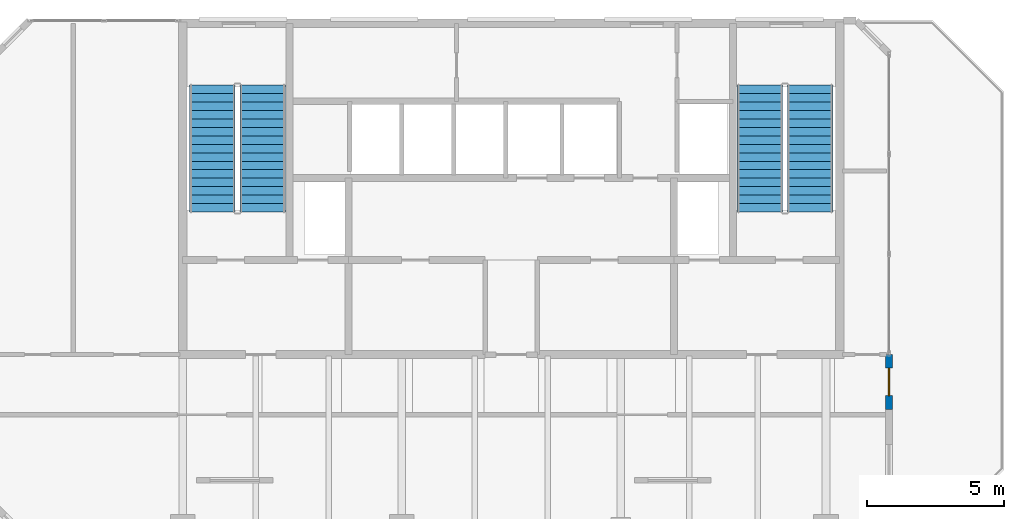
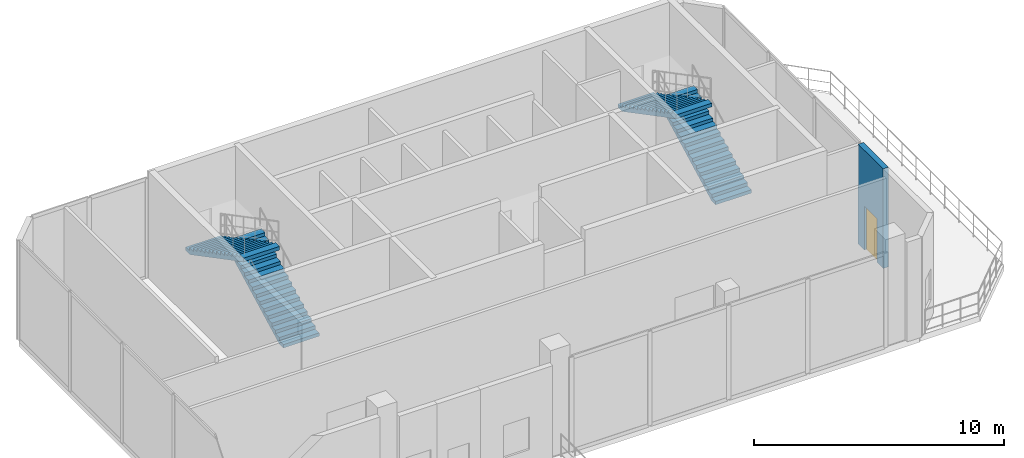
# One storey, part 9 of 11: 4 stair flights, 1 door, 1 wall, 1 opening, 2 elements without a shape of their own.
"""IFC4 building model written with IfcOpenShell, lengths in metres."""

from ifc_helpers import new_model, si_unit, direction, frame, frame_2d, origin, place, context, subcontext, project, spatial, polyline, rectangle, outline, extrude, material, layer, layer_set, type_object, element, fill, aggregate, save


model = new_model("IFC4")

# Units and contexts
model_context = context("Model", 3, precision=1e-05, world=origin(), true_north=direction((0.0, 1.0)))
body_context = subcontext(model_context, "Body", "Model", "MODEL_VIEW")
ifc_project = project(units=[si_unit("LENGTHUNIT", "METRE"), si_unit("AREAUNIT", "SQUARE_METRE"), si_unit("VOLUMEUNIT", "CUBIC_METRE"), si_unit("PLANEANGLEUNIT", "RADIAN"), si_unit("MASSUNIT", "GRAM", prefix="KILO")], contexts=[model_context])

# Site, building, storey
site_placement = place(None, origin())
site = spatial("IfcSite", under=ifc_project, at=site_placement, CompositionType="ELEMENT")
building_placement = place(site_placement, origin())
building = spatial("IfcBuilding", under=site, at=building_placement, Name="Catumbela Crestline Tower", CompositionType="ELEMENT")
storey_placement = place(building_placement, frame((0.0, 0.0, 290.6)))
storey = spatial("IfcBuildingStorey", under=building, at=storey_placement, Name="L75", CompositionType="ELEMENT", Elevation=290.6)

# Wall, opening, door
ifc_material_1 = material(Name="Angolan grey-ochre granite", Category="masonry")
ifc_layer = layer(ifc_material_1, 0.25, Name="Angolan grey-ochre granite")
ifc_layer_set = layer_set([ifc_layer], Name="Angolan grey-ochre granite")
wall_type = type_object("IfcWallType", Name="WE-250", PredefinedType="STANDARD", material=ifc_layer_set)
wall_placement = place(storey_placement, frame((41.8, 28.8, 0.0), z_axis=(0.0, 0.0, 1.0), x_axis=(0.0, 1.0, 0.0)))
wall = element("IfcWall", 1, at=wall_placement, inside=storey, type_object=wall_type, Name="L75 Exterior Threshold Portal Wall DR-L75-STEP-E2", PredefinedType="STANDARD", context=body_context, shape_type="SweptSolid", body=[
    extrude(rectangle(XDim=2.0, YDim=0.25, at=frame_2d((1.0, 0.0))), origin(), (0.0, 0.0, 1.0), 4.87),
])
opening_placement = place(wall_placement, frame((0.5, 0.0, 0.0)))
opening = element("IfcOpeningElement", 2, at=opening_placement, cuts=wall, Name="Opening DT-L75E", PredefinedType="OPENING", context=body_context, shape_type="SweptSolid", body=[
    extrude(rectangle(XDim=1.0, YDim=2.15, at=frame_2d((0.5, 1.075))), frame((0.0, 0.135, 0.0), z_axis=(0.0, -1.0, 0.0), x_axis=(1.0, 0.0, 0.0)), (0.0, 0.0, 1.0), 0.27),
])
ifc_material_2 = material(Name="Aluminium alloy AW-6060-T66", Category="aluminium")
door_type = type_object("IfcDoorType", Name="DB-1000", OperationType="NOTDEFINED", PredefinedType="DOOR", material=ifc_material_2)
door_placement = place(opening_placement, origin())
door = element("IfcDoor", 3, at=door_placement, inside=storey, type_object=door_type, Name="L75 East Stepped Terrace Door", OperationType="SINGLE_SWING_RIGHT", OverallHeight=2.15, OverallWidth=1.0, PredefinedType="DOOR", context=body_context, shape_type="SweptSolid", body=[
    extrude(rectangle(XDim=1.0, YDim=2.15, at=frame_2d((0.5, 1.075))), frame((0.0, 0.025, 0.0), z_axis=(0.0, -1.0, 0.0), x_axis=(1.0, 0.0, 0.0)), (0.0, 0.0, 1.0), 0.05),
])
fill(opening, door)

# Stair, stair flights
ifc_material_3 = material(Name="Concrete C45/55", Category="concrete")
stair_type = type_object("IfcStairType", Name="ST-DLG", PredefinedType="HALF_TURN_STAIR", material=ifc_material_3)
stair_1_placement = place(storey_placement, origin())
stair_1 = element("IfcStair", 4, at=stair_1_placement, inside=storey, type_object=stair_type, Name="L75 West Core Pressurised Exit Stair ST-01", PredefinedType="HALF_TURN_STAIR")
stair_flight_type = type_object("IfcStairFlightType", Name="SF-1625", PredefinedType="STRAIGHT", material=ifc_material_3)
stair_flight_1_placement = place(storey_placement, frame((18.92, 36.0, 0.0), z_axis=(0.0, 0.0, 1.0), x_axis=(0.0, 1.0, 0.0)))
stair_flight_1 = element("IfcStairFlight", 5, at=stair_flight_1_placement, type_object=stair_flight_type, Name="ST-01 flight 1", NumberOfRisers=16, NumberOfTreads=15, PredefinedType="STRAIGHT", RiserHeight=0.1625, TreadLength=0.31, context=body_context, shape_type="SweptSolid", body=[
    extrude(outline(polyline([(0.0, 0.0), (0.0, 0.1625), (0.31, 0.1625), (0.31, 0.325), (0.62, 0.325), (0.62, 0.4875), (0.93, 0.4875), (0.93, 0.65), (1.24, 0.65), (1.24, 0.8125), (1.55, 0.8125), (1.55, 0.975), (1.86, 0.975), (1.86, 1.1375), (2.17, 1.1375), (2.17, 1.3), (2.48, 1.3), (2.48, 1.4625), (2.79, 1.4625), (2.79, 1.625), (3.1, 1.625), (3.1, 1.7875), (3.41, 1.7875), (3.41, 1.95), (3.72, 1.95), (3.72, 2.1125), (4.03, 2.1125), (4.03, 2.275), (4.34, 2.275), (4.34, 2.4375), (4.65, 2.4375), (4.65, 2.6), (4.65, 2.2569), (0.3446, 0.0), (0.0, 0.0)])), frame((0.0, 0.83, 0.0), z_axis=(0.0, -1.0, 0.0), x_axis=(1.0, 0.0, 0.0)), (0.0, 0.0, 1.0), 1.66),
])
stair_flight_2_placement = place(storey_placement, frame((17.08, 40.65, 2.6), z_axis=(0.0, 0.0, 1.0), x_axis=(0.0, -1.0, 0.0)))
stair_flight_2 = element("IfcStairFlight", 6, at=stair_flight_2_placement, type_object=stair_flight_type, Name="ST-01 flight 2", NumberOfRisers=16, NumberOfTreads=15, PredefinedType="STRAIGHT", RiserHeight=0.1625, TreadLength=0.31, context=body_context, shape_type="SweptSolid", body=[
    extrude(outline(polyline([(0.0, 0.0), (0.0, 0.1625), (0.31, 0.1625), (0.31, 0.325), (0.62, 0.325), (0.62, 0.4875), (0.93, 0.4875), (0.93, 0.65), (1.24, 0.65), (1.24, 0.8125), (1.55, 0.8125), (1.55, 0.975), (1.86, 0.975), (1.86, 1.1375), (2.17, 1.1375), (2.17, 1.3), (2.48, 1.3), (2.48, 1.4625), (2.79, 1.4625), (2.79, 1.625), (3.1, 1.625), (3.1, 1.7875), (3.41, 1.7875), (3.41, 1.95), (3.72, 1.95), (3.72, 2.1125), (4.03, 2.1125), (4.03, 2.275), (4.34, 2.275), (4.34, 2.4375), (4.65, 2.4375), (4.65, 2.6), (4.65, 2.2569), (0.3446, 0.0), (0.0, 0.0)])), frame((0.0, 0.83, 0.0), z_axis=(0.0, -1.0, 0.0), x_axis=(1.0, 0.0, 0.0)), (0.0, 0.0, 1.0), 1.66),
])
aggregate(stair_1, [stair_flight_1, stair_flight_2])

stair_2_placement = place(storey_placement, origin())
stair_2 = element("IfcStair", 7, at=stair_2_placement, inside=storey, type_object=stair_type, Name="L75 East Core Pressurised Exit Stair ST-02", PredefinedType="HALF_TURN_STAIR")
stair_flight_3_placement = place(storey_placement, frame((38.92, 36.0, 0.0), z_axis=(0.0, 0.0, 1.0), x_axis=(0.0, 1.0, 0.0)))
stair_flight_3 = element("IfcStairFlight", 8, at=stair_flight_3_placement, type_object=stair_flight_type, Name="ST-02 flight 1", NumberOfRisers=16, NumberOfTreads=15, PredefinedType="STRAIGHT", RiserHeight=0.1625, TreadLength=0.31, context=body_context, shape_type="SweptSolid", body=[
    extrude(outline(polyline([(0.0, 0.0), (0.0, 0.1625), (0.31, 0.1625), (0.31, 0.325), (0.62, 0.325), (0.62, 0.4875), (0.93, 0.4875), (0.93, 0.65), (1.24, 0.65), (1.24, 0.8125), (1.55, 0.8125), (1.55, 0.975), (1.86, 0.975), (1.86, 1.1375), (2.17, 1.1375), (2.17, 1.3), (2.48, 1.3), (2.48, 1.4625), (2.79, 1.4625), (2.79, 1.625), (3.1, 1.625), (3.1, 1.7875), (3.41, 1.7875), (3.41, 1.95), (3.72, 1.95), (3.72, 2.1125), (4.03, 2.1125), (4.03, 2.275), (4.34, 2.275), (4.34, 2.4375), (4.65, 2.4375), (4.65, 2.6), (4.65, 2.2569), (0.3446, 0.0), (0.0, 0.0)])), frame((0.0, 0.83, 0.0), z_axis=(0.0, -1.0, 0.0), x_axis=(1.0, 0.0, 0.0)), (0.0, 0.0, 1.0), 1.66),
])
stair_flight_4_placement = place(storey_placement, frame((37.08, 40.65, 2.6), z_axis=(0.0, 0.0, 1.0), x_axis=(0.0, -1.0, 0.0)))
stair_flight_4 = element("IfcStairFlight", 9, at=stair_flight_4_placement, type_object=stair_flight_type, Name="ST-02 flight 2", NumberOfRisers=16, NumberOfTreads=15, PredefinedType="STRAIGHT", RiserHeight=0.1625, TreadLength=0.31, context=body_context, shape_type="SweptSolid", body=[
    extrude(outline(polyline([(0.0, 0.0), (0.0, 0.1625), (0.31, 0.1625), (0.31, 0.325), (0.62, 0.325), (0.62, 0.4875), (0.93, 0.4875), (0.93, 0.65), (1.24, 0.65), (1.24, 0.8125), (1.55, 0.8125), (1.55, 0.975), (1.86, 0.975), (1.86, 1.1375), (2.17, 1.1375), (2.17, 1.3), (2.48, 1.3), (2.48, 1.4625), (2.79, 1.4625), (2.79, 1.625), (3.1, 1.625), (3.1, 1.7875), (3.41, 1.7875), (3.41, 1.95), (3.72, 1.95), (3.72, 2.1125), (4.03, 2.1125), (4.03, 2.275), (4.34, 2.275), (4.34, 2.4375), (4.65, 2.4375), (4.65, 2.6), (4.65, 2.2569), (0.3446, 0.0), (0.0, 0.0)])), frame((0.0, 0.83, 0.0), z_axis=(0.0, -1.0, 0.0), x_axis=(1.0, 0.0, 0.0)), (0.0, 0.0, 1.0), 1.66),
])
aggregate(stair_2, [stair_flight_3, stair_flight_4])

save(model, "model.ifc")
